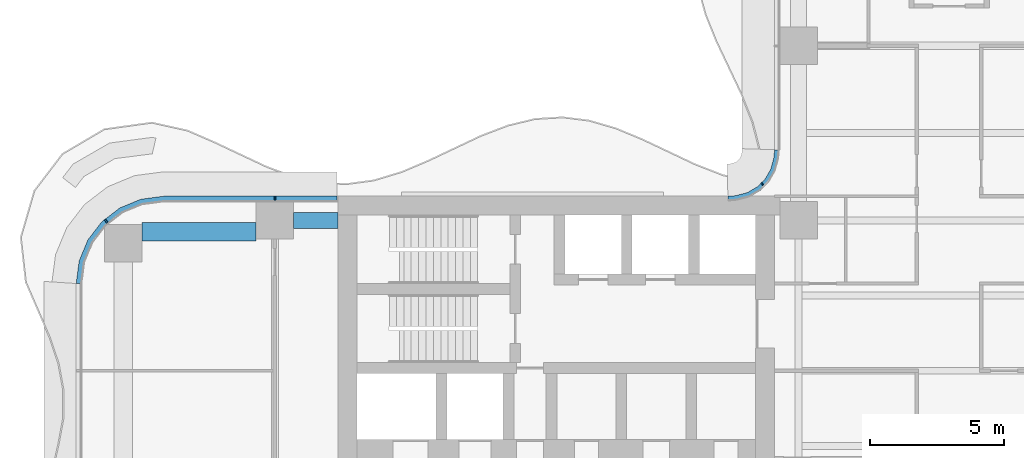
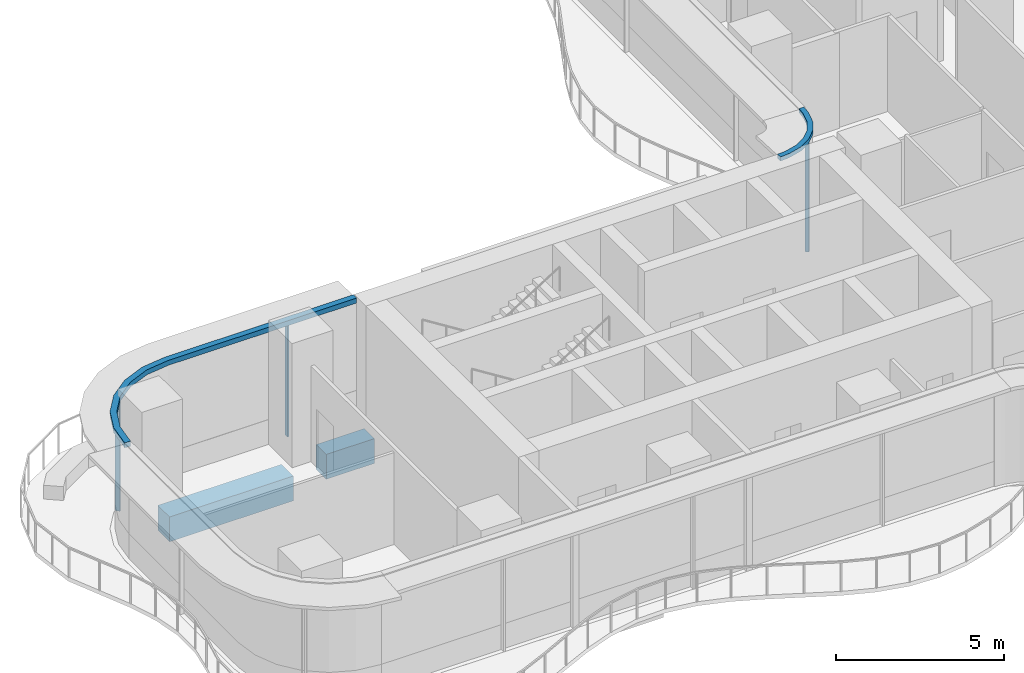
# One storey, part 8 of 22: 5 members, 2 beams, 2 elements without a shape of their own.
"""IFC4 building model written with IfcOpenShell, lengths in metres."""

import ifcopenshell
import ifcopenshell.guid

model = None  # the IFC model being written
_history = None  # IfcOwnerHistory: only IFC2X3 demands one
_inside = {}  # id of a spatial element -> (the spatial element, [elements in it])
_under = {}  # id of a project, library or spatial element -> (it, [spatial elements below it])
_declared = {}  # id of a project -> (the project, [libraries it declares])
_typed = {}  # id of a type object -> (the type object, [elements of that type])
_made_of = {}  # id of a material, layer set ... -> (it, [elements and type objects made of it])


def new_model(schema):
    """Start an empty IFC model of exactly this schema.

    Asked for "IFC4X3", IfcOpenShell would pick the latest addendum, in which some entities
    have other attributes; the version numbers below select the first issue.
    IFC2X3 requires an IfcOwnerHistory on every rooted entity: one is made here for all.
    """
    global model, _history
    if schema == "IFC4X3":
        model = ifcopenshell.file(schema_version=(4, 3, 0, 0))
    else:
        model = ifcopenshell.file(schema=schema)
    _inside.clear()
    _under.clear()
    _declared.clear()
    _typed.clear()
    _made_of.clear()
    _history = None
    if model.schema == "IFC2X3":
        org = make("IfcOrganization", Name="unknown")
        user = make(
            "IfcPersonAndOrganization",
            ThePerson=make("IfcPerson", FamilyName="unknown"),
            TheOrganization=org,
        )
        app = make(
            "IfcApplication",
            ApplicationDeveloper=org,
            Version="unknown",
            ApplicationFullName="unknown",
            ApplicationIdentifier="unknown",
        )
        _history = make(
            "IfcOwnerHistory",
            OwningUser=user,
            OwningApplication=app,
            ChangeAction="ADDED",
            CreationDate=0,
        )
    return model


def make(cls, **values):
    """One entity of the class cls with the attributes given. An attribute that is None is left unset."""
    return model.create_entity(
        cls, **{name: value for name, value in values.items() if value is not None}
    )


def rooted(cls, **values):
    """An entity with a GlobalId (a new one), such as an element, a storey or a relation."""
    return make(cls, GlobalId=ifcopenshell.guid.new(), OwnerHistory=_history, **values)


def si_unit(unit_type, name, prefix=None):
    """IfcSIUnit, for example si_unit("LENGTHUNIT", "METRE", prefix="MILLI")."""
    return make("IfcSIUnit", UnitType=unit_type, Prefix=prefix, Name=name)


def assignment(units):
    """IfcUnitAssignment: the units of a project."""
    return None if units is None else make("IfcUnitAssignment", Units=units)


def point(xyz):
    """IfcCartesianPoint."""
    return None if xyz is None else make("IfcCartesianPoint", Coordinates=xyz)


def direction(xyz):
    """IfcDirection."""
    return None if xyz is None else make("IfcDirection", DirectionRatios=xyz)


def frame(location, z_axis=None, x_axis=None):
    """IfcAxis2Placement3D, a coordinate frame: its origin and axes. An axis left out is left unset."""
    return make(
        "IfcAxis2Placement3D",
        Location=point(location),
        Axis=direction(z_axis),
        RefDirection=direction(x_axis),
    )


def frame_2d(location, x_axis=None):
    """IfcAxis2Placement2D, a coordinate frame in the plane: its origin and x axis."""
    return make(
        "IfcAxis2Placement2D", Location=point(location), RefDirection=direction(x_axis)
    )


def origin():
    """The frame at (0, 0, 0) with its axes left unset."""
    return frame((0.0, 0.0, 0.0))


def origin_2d():
    """The frame at (0, 0) in the plane with its x axis left unset."""
    return frame_2d((0.0, 0.0))


def place(relative_to, where):
    """IfcLocalPlacement: puts the frame where relative to a parent placement (None: the world)."""
    return make(
        "IfcLocalPlacement", PlacementRelTo=relative_to, RelativePlacement=where
    )


def context(
    kind, dimensions, precision=None, world=None, true_north=None, identifier=None
):
    """IfcGeometricRepresentationContext, for example the 3D "Model" context."""
    return make(
        "IfcGeometricRepresentationContext",
        ContextIdentifier=identifier,
        ContextType=kind,
        CoordinateSpaceDimension=dimensions,
        Precision=precision,
        WorldCoordinateSystem=world,
        TrueNorth=true_north,
    )


def subcontext(parent, identifier, kind, view, scale=None):
    """IfcGeometricRepresentationSubContext, for example "Body" below "Model"."""
    return make(
        "IfcGeometricRepresentationSubContext",
        ContextIdentifier=identifier,
        ContextType=kind,
        ParentContext=parent,
        TargetScale=scale,
        TargetView=view,
    )


def project(units=None, contexts=None):
    """IfcProject with its units and contexts."""
    return rooted(
        "IfcProject",
        Name="project",
        RepresentationContexts=contexts,
        UnitsInContext=assignment(units),
    )


def spatial(cls, under=None, at=None, **own):
    """A site, building, storey or space (cls), placed at a placement, below another one or the project."""
    s = rooted(cls, ObjectPlacement=at, **own)
    if under is not None:
        _under.setdefault(under.id(), (under, []))[1].append(s)
    return s


def polyline(points):
    """IfcPolyline through the points."""
    return make("IfcPolyline", Points=[point(p) for p in points])


def profile(cls, at=None, kind="AREA", **sizes):
    """A parametric profile (cls). Its sizes go by their IFC names, for example OverallWidth=200.0."""
    return make(cls, ProfileType=kind, Position=at, **sizes)


def rectangle(**sizes):
    """IfcRectangleProfileDef."""
    return profile("IfcRectangleProfileDef", **sizes)


def outline(outer, holes=None, kind="AREA"):
    """IfcArbitraryClosedProfileDef: a profile drawn as a closed curve; with holes, ...WithVoids."""
    if holes is None:
        return make("IfcArbitraryClosedProfileDef", ProfileType=kind, OuterCurve=outer)
    return make(
        "IfcArbitraryProfileDefWithVoids",
        ProfileType=kind,
        OuterCurve=outer,
        InnerCurves=holes,
    )


def extrude(swept, where, along, depth):
    """IfcExtrudedAreaSolid: the profile swept, set in the frame where, extruded along a direction by depth."""
    return make(
        "IfcExtrudedAreaSolid",
        SweptArea=swept,
        Position=where,
        ExtrudedDirection=direction(along),
        Depth=depth,
    )


def shape(context_of_items, identifier, shape_type, items):
    """IfcShapeRepresentation: the items that make up one representation, for example the "Body"."""
    return make(
        "IfcShapeRepresentation",
        ContextOfItems=context_of_items,
        RepresentationIdentifier=identifier,
        RepresentationType=shape_type,
        Items=items,
    )


def source(mapping_origin, context_of_items, identifier, shape_type, items):
    """IfcRepresentationMap: a shape defined once, which mapped items show again and again."""
    return make(
        "IfcRepresentationMap",
        MappingOrigin=mapping_origin,
        MappedRepresentation=shape(context_of_items, identifier, shape_type, items),
    )


def transform(
    local_origin,
    x_axis=None,
    y_axis=None,
    z_axis=None,
    scale=None,
    scale2=None,
    scale3=None,
    uniform=True,
):
    """IfcCartesianTransformationOperator3D, or its non-uniform kind. x_axis, y_axis, z_axis: its Axis1, 2, 3."""
    if uniform:
        return make(
            "IfcCartesianTransformationOperator3D",
            Axis1=direction(x_axis),
            Axis2=direction(y_axis),
            LocalOrigin=point(local_origin),
            Scale=scale,
            Axis3=direction(z_axis),
        )
    return make(
        "IfcCartesianTransformationOperator3DnonUniform",
        Axis1=direction(x_axis),
        Axis2=direction(y_axis),
        LocalOrigin=point(local_origin),
        Scale=scale,
        Axis3=direction(z_axis),
        Scale2=scale2,
        Scale3=scale3,
    )


def mapped(mapping_source, mapping_target):
    """IfcMappedItem: shows the shape of a source again, moved by a transform."""
    return make(
        "IfcMappedItem", MappingSource=mapping_source, MappingTarget=mapping_target
    )


def material(Name=None, Category=None):
    """IfcMaterial."""
    return make("IfcMaterial", Name=Name, Category=Category)


def layer(
    of_material, thickness, ventilated=None, Name=None, Category=None, Priority=None
):
    """IfcMaterialLayer: one layer of a wall or slab, of a material (None: an air gap)."""
    return make(
        "IfcMaterialLayer",
        Material=of_material,
        LayerThickness=thickness,
        IsVentilated=ventilated,
        Name=Name,
        Category=Category,
        Priority=Priority,
    )


def layer_set(layers, Name=None):
    """IfcMaterialLayerSet."""
    return make("IfcMaterialLayerSet", MaterialLayers=layers, LayerSetName=Name)


def material_profile(
    of_material, cross_section, Name=None, Category=None, Priority=None
):
    """IfcMaterialProfile: a cross section and its material."""
    return make(
        "IfcMaterialProfile",
        Name=Name,
        Material=of_material,
        Profile=cross_section,
        Priority=Priority,
        Category=Category,
    )


def profile_set(profiles, Name=None, composite=None):
    """IfcMaterialProfileSet."""
    return make(
        "IfcMaterialProfileSet",
        Name=Name,
        MaterialProfiles=profiles,
        CompositeProfile=composite,
    )


def made_of(thing, what):
    """Note that an element or type object is made of a material, layer set ...; save() writes the relation."""
    if what is not None:
        _made_of.setdefault(what.id(), (what, []))[1].append(thing)
    return thing


def type_object(cls, material=None, **own):
    """A type object (cls), such as IfcWallType, which elements share."""
    return made_of(rooted(cls, **own), material)


def element(
    cls,
    number,
    at=None,
    inside=None,
    cuts=None,
    type_object=None,
    material=None,
    context=None,
    identifier="Body",
    shape_type=None,
    held_by="IfcProductDefinitionShape",
    body=None,
    shapes=None,
    **own,
):
    """One element of the class cls, such as IfcWall. Its Tag is "e" and its number.

    at: its placement. inside: the storey or other place that contains it. cuts: it is an
    opening in that element (IfcRelVoidsElement). A single representation is given by context,
    identifier, shape_type and body (its items); several are given by shapes. held_by: the class
    of the entity that holds the representations. save() writes the other relations.
    """
    e = rooted(cls, Tag="e%d" % number, ObjectPlacement=at, **own)
    if body is not None:
        shapes = [shape(context, identifier, shape_type, body)]
    if shapes is not None:
        e.Representation = make(held_by, Representations=shapes)
    if inside is not None:
        _inside.setdefault(inside.id(), (inside, []))[1].append(e)
    if cuts is not None:
        rooted(
            "IfcRelVoidsElement", RelatingBuildingElement=cuts, RelatedOpeningElement=e
        )
    if type_object is not None:
        _typed.setdefault(type_object.id(), (type_object, []))[1].append(e)
    return made_of(e, material)


def aggregate(whole, parts):
    """IfcRelAggregates: a whole, such as a stair, and the parts it consists of."""
    return rooted("IfcRelAggregates", RelatingObject=whole, RelatedObjects=parts)


def save(model, path):
    """Write the relations noted so far, then the file.

    IfcRelAggregates (storeys below a building ...), IfcRelContainedInSpatialStructure (elements
    in a storey), IfcRelDefinesByType, IfcRelAssociatesMaterial and IfcRelDeclares: one each for
    every whole, place, type object, material and project.
    """
    for whole, parts in _under.values():
        aggregate(whole, parts)
    for where, things in _inside.values():
        rooted(
            "IfcRelContainedInSpatialStructure",
            RelatedElements=things,
            RelatingStructure=where,
        )
    for kind, things in _typed.values():
        rooted("IfcRelDefinesByType", RelatedObjects=things, RelatingType=kind)
    for what, things in _made_of.values():
        rooted("IfcRelAssociatesMaterial", RelatedObjects=things, RelatingMaterial=what)
    for by, libraries in _declared.values():
        rooted("IfcRelDeclares", RelatingContext=by, RelatedDefinitions=libraries)
    model.write(path)


model = new_model("IFC4")

# Units and contexts
model_context = context("Model", 3, precision=1e-05, world=origin(), true_north=direction((0.0, 1.0)))
body_context = subcontext(model_context, "Body", "Model", "MODEL_VIEW")
ifc_project = project(units=[si_unit("LENGTHUNIT", "METRE"), si_unit("AREAUNIT", "SQUARE_METRE"), si_unit("VOLUMEUNIT", "CUBIC_METRE"), si_unit("PLANEANGLEUNIT", "RADIAN"), si_unit("MASSUNIT", "GRAM", prefix="KILO")], contexts=[model_context])

# Site, building, storey
site_placement = place(None, origin())
site = spatial("IfcSite", under=ifc_project, at=site_placement, CompositionType="ELEMENT")
building_placement = place(site_placement, origin())
building = spatial("IfcBuilding", under=site, at=building_placement, Name="Trellis Farm Tower", CompositionType="ELEMENT")
storey_placement = place(building_placement, frame((0.0, 0.0, 65.5)))
storey = spatial("IfcBuildingStorey", under=building, at=storey_placement, Name="L13", CompositionType="ELEMENT", Elevation=65.5)

# Beams
ifc_material_1 = material(Name="Concrete C60/75", Category="concrete")
ifc_material_profile_1 = material_profile(ifc_material_1, rectangle(XDim=0.699951171875, YDim=0.89990234375, at=origin_2d()), Name="RC spandrel beam 700x900 C60/75")
ifc_profile_set_1 = profile_set([ifc_material_profile_1], Name="Concrete C60/75")
beam_type_1 = type_object("IfcBeamType", Name="RC spandrel beam 700x900 C60/75", PredefinedType="SPANDREL", material=ifc_profile_set_1)
shared_shape_1 = source(origin(), body_context, "Body", "SweptSolid", [
    extrude(rectangle(XDim=0.699951171875, YDim=0.89990234375, at=origin_2d()), origin(), (0.0, 0.0, 1.0), 4.25),
])
beam_1_placement = place(storey_placement, frame((-30.050048828125, 5.175048828125, -0.699951171875), z_axis=(1.0, 0.0, 0.0), x_axis=(0.0, 1.0, 0.0)))
element("IfcBeam", 1, at=beam_1_placement, inside=storey, type_object=beam_type_1, Name="Girder", PredefinedType="SPANDREL", context=body_context, shape_type="MappedRepresentation", body=[
    mapped(shared_shape_1, transform((0.0, 0.0, 0.0))),
])
ifc_material_profile_2 = material_profile(ifc_material_1, rectangle(XDim=0.60009765625, YDim=0.89990234375, at=origin_2d()), Name="RC spandrel beam 600x900 C60/75")
ifc_profile_set_2 = profile_set([ifc_material_profile_2], Name="Concrete C60/75")
beam_type_2 = type_object("IfcBeamType", Name="RC spandrel beam 600x900 C60/75", PredefinedType="SPANDREL", material=ifc_profile_set_2)
shared_shape_2 = source(origin(), body_context, "Body", "SweptSolid", [
    extrude(rectangle(XDim=0.60009765625, YDim=0.89990234375, at=origin_2d()), origin(), (0.0, 0.0, 1.0), 1.64990234375),
])
beam_2_placement = place(storey_placement, frame((-24.39990234375, 5.60009765625, -0.699951171875), z_axis=(1.0, 0.0, 0.0), x_axis=(0.0, 1.0, 0.0)))
element("IfcBeam", 2, at=beam_2_placement, inside=storey, type_object=beam_type_2, Name="Girder", PredefinedType="SPANDREL", context=body_context, shape_type="MappedRepresentation", body=[
    mapped(shared_shape_2, transform((0.0, 0.0, 0.0))),
])

# Curtain wall, members
ifc_material_2 = material(Name="Aluminium and glass curtain wall", Category="aluminium")
ifc_layer_1 = layer(ifc_material_2, 0.18994140625)
ifc_layer_set_1 = layer_set([ifc_layer_1], Name="RIBBON CURTAIN WALL CW1")
curtain_wall_type_1 = type_object("IfcCurtainWallType", Name="RIBBON CURTAIN WALL CW1", PredefinedType="NOTDEFINED", material=ifc_layer_set_1)
placement = place(storey_placement, origin())
curtain_wall_1 = element("IfcCurtainWall", 3, at=placement, inside=storey, type_object=curtain_wall_type_1, Name="CW1 012", PredefinedType="NOTDEFINED")
ifc_material_3 = material(Name="Aluminium extrusion 6063-T6", Category="aluminium")
ifc_material_profile_3 = material_profile(ifc_material_3, rectangle(XDim=0.06005859375, YDim=0.14990234375, at=origin_2d()), Name="MULLION 60x150")
ifc_profile_set_3 = profile_set([ifc_material_profile_3], Name="Aluminium extrusion 6063-T6")
member_type_1 = type_object("IfcMemberType", Name="CW1 MULLION 60x150", PredefinedType="MULLION", material=ifc_profile_set_3)
shared_shape_3 = source(origin(), body_context, "Body", "SweptSolid", [
    extrude(rectangle(XDim=0.06005859375, YDim=0.14990234375, at=origin_2d()), origin(), (0.0, 0.0, 1.0), 4.070068359375),
])
member_1_placement = place(storey_placement, frame((-25.10009765625, 6.425048828125, 0.0), z_axis=(0.0, 0.0, 1.0), x_axis=(-1.0, 0.0, 0.0)))
member_1 = element("IfcMember", 4, at=member_1_placement, type_object=member_type_1, Name="MU1 012-01", PredefinedType="MULLION", context=body_context, shape_type="MappedRepresentation", body=[
    mapped(shared_shape_3, transform((0.0, 0.0, 0.0))),
])
member_2_placement = place(storey_placement, frame((-31.385498046875, 5.578369140625, 0.0), z_axis=(0.0, 0.0, 1.0), x_axis=(-0.793353340291, -0.608761429009, 0.0)))
member_2 = element("IfcMember", 5, at=member_2_placement, type_object=member_type_1, Name="MU1 012-02", PredefinedType="MULLION", context=body_context, shape_type="MappedRepresentation", body=[
    mapped(shared_shape_3, transform((0.0, 0.0, 0.0))),
])

ifc_layer_2 = layer(ifc_material_2, 0.166015625)
ifc_layer_set_2 = layer_set([ifc_layer_2], Name="WINTER GARDEN CURTAIN WALL CW3")
curtain_wall_type_2 = type_object("IfcCurtainWallType", Name="WINTER GARDEN CURTAIN WALL CW3", PredefinedType="NOTDEFINED", material=ifc_layer_set_2)
curtain_wall_2 = element("IfcCurtainWall", 6, at=placement, inside=storey, type_object=curtain_wall_type_2, Name="CW3 004", PredefinedType="NOTDEFINED")
ifc_material_profile_4 = material_profile(ifc_material_3, rectangle(XDim=0.050048828125, YDim=0.1201171875, at=origin_2d()), Name="MULLION 50x120")
ifc_profile_set_4 = profile_set([ifc_material_profile_4], Name="Aluminium extrusion 6063-T6")
member_type_2 = type_object("IfcMemberType", Name="CW3 MULLION 50x120", PredefinedType="MULLION", material=ifc_profile_set_4)
shared_shape_4 = source(origin(), body_context, "Body", "SweptSolid", [
    extrude(rectangle(XDim=0.050048828125, YDim=0.1201171875, at=origin_2d()), origin(), (0.0, 0.0, 1.0), 4.10009765625),
])
member_3_placement = place(storey_placement, frame((-6.953125, 6.953125, 0.0), z_axis=(0.0, 0.0, 1.0), x_axis=(-0.707106781187, -0.707106781187, 0.0)))
member_3 = element("IfcMember", 7, at=member_3_placement, type_object=member_type_2, Name="MU3 004-01", PredefinedType="MULLION", context=body_context, shape_type="MappedRepresentation", body=[
    mapped(shared_shape_4, transform((0.0, 0.0, 0.0))),
])
ifc_layer_3 = layer(ifc_material_3, 0.169921875)
ifc_layer_set_3 = layer_set([ifc_layer_3], Name="Aluminium extrusion 6063-T6")
member_type_3 = type_object("IfcMemberType", Name="CW3 TRANSOM 170x150", PredefinedType="USERDEFINED", material=ifc_layer_set_3)
shared_shape_5 = source(origin(), body_context, "Body", "SweptSolid", [
    extrude(outline(polyline([(-6.5, 8.2314453125), (-6.513916015625, 8.01953125), (-6.527587890625, 7.91552734375), (-6.63671875, 7.508544921875), (-6.846923828125, 7.144287109375), (-7.144287109375, 6.846923828125), (-7.508544921875, 6.63671875), (-7.91552734375, 6.527587890625), (-8.01953125, 6.513916015625), (-8.2314453125, 6.5), (-8.225830078125, 6.330078125), (-8.0029296875, 6.3447265625), (-7.88232421875, 6.360595703125), (-7.44287109375, 6.478271484375), (-7.0400390625, 6.7109375), (-6.7109375, 7.0400390625), (-6.478271484375, 7.44287109375), (-6.360595703125, 7.88232421875), (-6.3447265625, 8.0029296875), (-6.330078125, 8.225830078125), (-6.5, 8.2314453125)])), origin(), (0.0, 0.0, 1.0), 0.14990234375),
])
member_4_placement = place(storey_placement, frame((0.0, 0.0, 4.10009765625)))
member_4 = element("IfcMember", 8, at=member_4_placement, type_object=member_type_3, Name="TR3 004", ObjectType="TRANSOM", PredefinedType="USERDEFINED", context=body_context, shape_type="MappedRepresentation", body=[
    mapped(shared_shape_5, transform((0.0, 0.0, 0.0))),
])
aggregate(curtain_wall_2, [member_3, member_4])

# Member
ifc_layer_4 = layer(ifc_material_3, 0.199951171875)
ifc_layer_set_4 = layer_set([ifc_layer_4], Name="Aluminium extrusion 6063-T6")
member_type_4 = type_object("IfcMemberType", Name="CW1 TRANSOM 200x180", PredefinedType="USERDEFINED", material=ifc_layer_set_4)
shared_shape_6 = source(origin(), body_context, "Body", "SweptSolid", [
    extrude(outline(polyline([(-22.780029296875, 6.5), (-29.25, 6.5), (-30.091064453125, 6.38916015625), (-30.875, 6.064697265625), (-31.548095703125, 5.548095703125), (-32.064697265625, 4.875), (-32.38916015625, 4.091064453125), (-32.5, 3.25), (-32.300048828125, 3.23681640625), (-32.1943359375, 4.0390625), (-31.889892578125, 4.774169921875), (-31.405517578125, 5.405517578125), (-30.774169921875, 5.889892578125), (-30.0390625, 6.1943359375), (-29.23681640625, 6.300048828125), (-22.780029296875, 6.300048828125), (-22.780029296875, 6.5)])), origin(), (0.0, 0.0, 1.0), 0.179931640625),
])
member_5_placement = place(storey_placement, frame((0.0, 0.0, 4.070068359375)))
member_5 = element("IfcMember", 9, at=member_5_placement, type_object=member_type_4, Name="TR1 012", ObjectType="TRANSOM", PredefinedType="USERDEFINED", context=body_context, shape_type="MappedRepresentation", body=[
    mapped(shared_shape_6, transform((0.0, 0.0, 0.0))),
])

aggregate(curtain_wall_1, [member_1, member_2, member_5])

save(model, "model.ifc")
